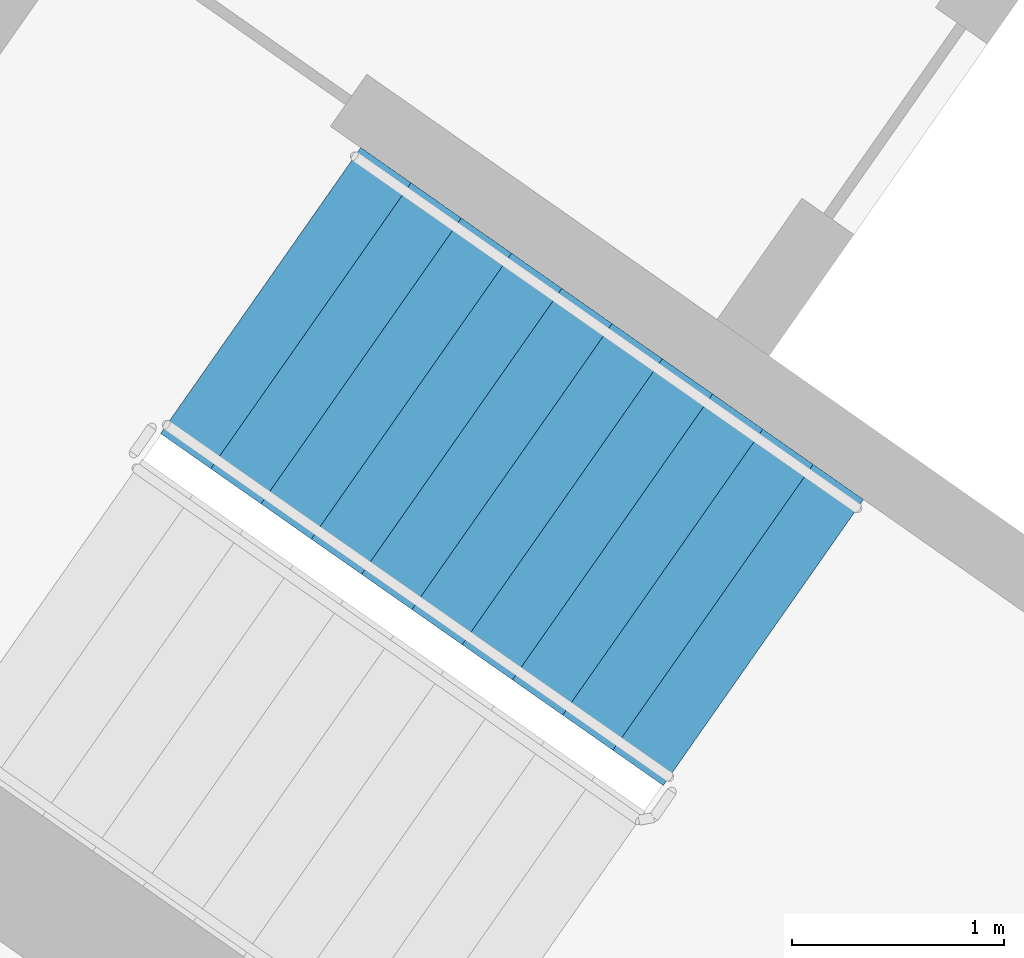
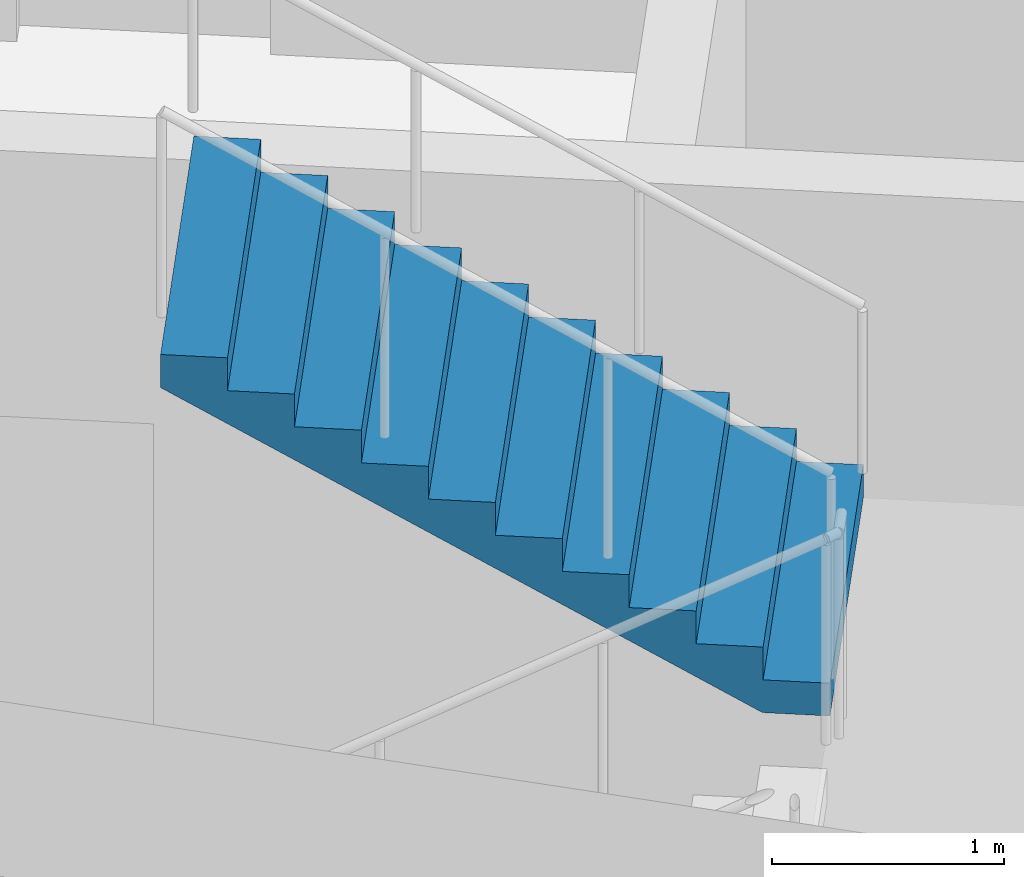
# One storey, part 9 of 27: 1 stair flight, 1 element without a shape of its own.
"""IFC4 building model written with IfcOpenShell, lengths in metres."""

from ifc_helpers import new_model, si_unit, direction, frame, origin, place, context, subcontext, project, spatial, faceted_brep, material, type_object, element, aggregate, save


model = new_model("IFC4")

# Units and contexts
model_context = context("Model", 3, precision=1e-05, world=origin(), true_north=direction((0.0, 1.0)))
body_context = subcontext(model_context, "Body", "Model", "MODEL_VIEW")
ifc_project = project(units=[si_unit("LENGTHUNIT", "METRE"), si_unit("AREAUNIT", "SQUARE_METRE"), si_unit("VOLUMEUNIT", "CUBIC_METRE"), si_unit("PLANEANGLEUNIT", "RADIAN"), si_unit("MASSUNIT", "GRAM", prefix="KILO")], contexts=[model_context])

# Site, building, storey
site_placement = place(None, origin())
site = spatial("IfcSite", under=ifc_project, at=site_placement, CompositionType="ELEMENT")
building_placement = place(site_placement, origin())
building = spatial("IfcBuilding", under=site, at=building_placement, Name="Qamariyya Broadcast Tower", CompositionType="ELEMENT")
storey_placement = place(building_placement, frame((0.0, 0.0, 153.10009765625)))
storey = spatial("IfcBuildingStorey", under=building, at=storey_placement, Name="L35", CompositionType="ELEMENT", Elevation=153.10009765625)

# Stair, stair flight
ifc_material = material(Name="Concrete C50/60", Category="concrete")
stair_type = type_object("IfcStairType", Name="Exit stair 22 risers of 173 mm", PredefinedType="HALF_TURN_STAIR", material=ifc_material)
stair_placement = place(storey_placement, origin())
stair = element("IfcStair", 1, at=stair_placement, inside=storey, type_object=stair_type, Name="L35 Stair W1", PredefinedType="HALF_TURN_STAIR")
stair_flight_type = type_object("IfcStairFlightType", Name="Exit stair flight 11 risers of 173 mm", PredefinedType="STRAIGHT", material=ifc_material)
stair_flight_placement = place(storey_placement, frame((-43.660888671875, -57.17138671875, 1.89990234375), z_axis=(0.0, 0.0, 1.0), x_axis=(-0.819152044289, 0.573576436351, 0.0)))
stair_flight = element("IfcStairFlight", 2, at=stair_flight_placement, type_object=stair_flight_type, Name="ST-W1 flight 2", NumberOfRisers=11, NumberOfTreads=10, PredefinedType="STRAIGHT", RiserHeight=0.172727273, TreadLength=0.29, context=body_context, shape_type="Brep", body=[
    faceted_brep([(0.0, 0.824951171875, 0.0), (0.0, 0.824951171875, 0.172607421875), (0.2900390625, 0.824951171875, 0.172607421875), (0.2900390625, 0.824951171875, 0.345458984375), (0.580078125, 0.824951171875, 0.345458984375), (0.580078125, 0.824951171875, 0.51806640625), (0.8701171875, 0.824951171875, 0.51806640625), (0.8701171875, 0.824951171875, 0.69091796875), (1.159912109375, 0.824951171875, 0.69091796875), (1.159912109375, 0.824951171875, 0.863525390625), (1.449951171875, 0.824951171875, 0.863525390625), (1.449951171875, 0.824951171875, 1.036376953125), (1.739990234375, 0.824951171875, 1.036376953125), (1.739990234375, 0.824951171875, 1.208984375), (2.030029296875, 0.824951171875, 1.208984375), (2.030029296875, 0.824951171875, 1.3818359375), (2.320068359375, 0.824951171875, 1.3818359375), (2.320068359375, 0.824951171875, 1.554443359375), (2.610107421875, 0.824951171875, 1.554443359375), (2.610107421875, 0.824951171875, 1.727294921875), (2.89990234375, 0.824951171875, 1.727294921875), (2.89990234375, 0.824951171875, 1.552734375), (0.29296875, 0.824951171875, 0.0), (0.29296875, -0.824951171875, 0.0), (2.89990234375, -0.824951171875, 1.552734375), (2.89990234375, -0.824951171875, 1.727294921875), (2.610107421875, -0.824951171875, 1.727294921875), (2.610107421875, -0.824951171875, 1.554443359375), (2.320068359375, -0.824951171875, 1.554443359375), (2.320068359375, -0.824951171875, 1.3818359375), (2.030029296875, -0.824951171875, 1.3818359375), (2.030029296875, -0.824951171875, 1.208984375), (1.739990234375, -0.824951171875, 1.208984375), (1.739990234375, -0.824951171875, 1.036376953125), (1.449951171875, -0.824951171875, 1.036376953125), (1.449951171875, -0.824951171875, 0.863525390625), (1.159912109375, -0.824951171875, 0.863525390625), (1.159912109375, -0.824951171875, 0.69091796875), (0.8701171875, -0.824951171875, 0.69091796875), (0.8701171875, -0.824951171875, 0.51806640625), (0.580078125, -0.824951171875, 0.51806640625), (0.580078125, -0.824951171875, 0.345458984375), (0.2900390625, -0.824951171875, 0.345458984375), (0.2900390625, -0.824951171875, 0.172607421875), (0.0, -0.824951171875, 0.172607421875), (0.0, -0.824951171875, 0.0), (0.0, 0.10009765625, 0.0), (0.0, 0.086669921875, 0.0), (0.0, 0.0732421875, 0.0), (0.0, 0.06005859375, 0.0), (0.0, 0.046630859375, 0.0), (0.0, 0.033447265625, 0.0), (0.0, 0.02001953125, 0.0), (0.0, 0.006591796875, 0.0), (0.0, -0.006591796875, 0.0), (0.0, -0.02001953125, 0.0), (0.0, -0.033447265625, 0.0), (0.0, -0.046630859375, 0.0), (0.0, -0.06005859375, 0.0), (0.0, -0.0732421875, 0.0), (0.0, -0.086669921875, 0.0), (0.0, -0.10009765625, 0.0), (0.0, -0.10009765625, 0.172607421875), (0.0, -0.086669921875, 0.172607421875), (0.0, -0.0732421875, 0.172607421875), (0.0, -0.06005859375, 0.172607421875), (0.0, -0.046630859375, 0.172607421875), (0.0, -0.033447265625, 0.172607421875), (0.0, -0.02001953125, 0.172607421875), (0.0, -0.006591796875, 0.172607421875), (0.0, 0.006591796875, 0.172607421875), (0.0, 0.02001953125, 0.172607421875), (0.0, 0.033447265625, 0.172607421875), (0.0, 0.046630859375, 0.172607421875), (0.0, 0.06005859375, 0.172607421875), (0.0, 0.0732421875, 0.172607421875), (0.0, 0.086669921875, 0.172607421875), (0.0, 0.10009765625, 0.172607421875), (0.2900390625, -0.10009765625, 0.172607421875), (0.2900390625, -0.086669921875, 0.172607421875), (0.2900390625, -0.0732421875, 0.172607421875), (0.2900390625, -0.06005859375, 0.172607421875), (0.2900390625, -0.046630859375, 0.172607421875), (0.2900390625, -0.033447265625, 0.172607421875), (0.2900390625, -0.02001953125, 0.172607421875), (0.2900390625, -0.006591796875, 0.172607421875), (0.2900390625, 0.006591796875, 0.172607421875), (0.2900390625, 0.02001953125, 0.172607421875), (0.2900390625, 0.033447265625, 0.172607421875), (0.2900390625, 0.046630859375, 0.172607421875), (0.2900390625, 0.06005859375, 0.172607421875), (0.2900390625, 0.0732421875, 0.172607421875), (0.2900390625, 0.086669921875, 0.172607421875), (0.2900390625, 0.10009765625, 0.172607421875), (0.2900390625, -0.10009765625, 0.345458984375), (0.2900390625, -0.086669921875, 0.345458984375), (0.2900390625, -0.0732421875, 0.345458984375), (0.2900390625, -0.06005859375, 0.345458984375), (0.2900390625, -0.046630859375, 0.345458984375), (0.2900390625, -0.033447265625, 0.345458984375), (0.2900390625, -0.02001953125, 0.345458984375), (0.2900390625, -0.006591796875, 0.345458984375), (0.2900390625, 0.006591796875, 0.345458984375), (0.2900390625, 0.02001953125, 0.345458984375), (0.2900390625, 0.033447265625, 0.345458984375), (0.2900390625, 0.046630859375, 0.345458984375), (0.2900390625, 0.06005859375, 0.345458984375), (0.2900390625, 0.0732421875, 0.345458984375), (0.2900390625, 0.086669921875, 0.345458984375), (0.2900390625, 0.10009765625, 0.345458984375), (0.580078125, -0.10009765625, 0.345458984375), (0.580078125, -0.086669921875, 0.345458984375), (0.580078125, -0.0732421875, 0.345458984375), (0.580078125, -0.06005859375, 0.345458984375), (0.580078125, -0.046630859375, 0.345458984375), (0.580078125, -0.033447265625, 0.345458984375), (0.580078125, -0.02001953125, 0.345458984375), (0.580078125, -0.006591796875, 0.345458984375), (0.580078125, 0.006591796875, 0.345458984375), (0.580078125, 0.02001953125, 0.345458984375), (0.580078125, 0.033447265625, 0.345458984375), (0.580078125, 0.046630859375, 0.345458984375), (0.580078125, 0.06005859375, 0.345458984375), (0.580078125, 0.0732421875, 0.345458984375), (0.580078125, 0.086669921875, 0.345458984375), (0.580078125, 0.10009765625, 0.345458984375), (0.580078125, -0.10009765625, 0.51806640625), (0.580078125, -0.086669921875, 0.51806640625), (0.580078125, -0.0732421875, 0.51806640625), (0.580078125, -0.06005859375, 0.51806640625), (0.580078125, -0.046630859375, 0.51806640625), (0.580078125, -0.033447265625, 0.51806640625), (0.580078125, -0.02001953125, 0.51806640625), (0.580078125, -0.006591796875, 0.51806640625), (0.580078125, 0.006591796875, 0.51806640625), (0.580078125, 0.02001953125, 0.51806640625), (0.580078125, 0.033447265625, 0.51806640625), (0.580078125, 0.046630859375, 0.51806640625), (0.580078125, 0.06005859375, 0.51806640625), (0.580078125, 0.0732421875, 0.51806640625), (0.580078125, 0.086669921875, 0.51806640625), (0.580078125, 0.10009765625, 0.51806640625), (0.8701171875, -0.10009765625, 0.51806640625), (0.8701171875, -0.086669921875, 0.51806640625), (0.8701171875, -0.0732421875, 0.51806640625), (0.8701171875, -0.06005859375, 0.51806640625), (0.8701171875, -0.046630859375, 0.51806640625), (0.8701171875, -0.033447265625, 0.51806640625), (0.8701171875, -0.02001953125, 0.51806640625), (0.8701171875, -0.006591796875, 0.51806640625), (0.8701171875, 0.006591796875, 0.51806640625), (0.8701171875, 0.02001953125, 0.51806640625), (0.8701171875, 0.033447265625, 0.51806640625), (0.8701171875, 0.046630859375, 0.51806640625), (0.8701171875, 0.06005859375, 0.51806640625), (0.8701171875, 0.0732421875, 0.51806640625), (0.8701171875, 0.086669921875, 0.51806640625), (0.8701171875, 0.10009765625, 0.51806640625), (0.8701171875, -0.10009765625, 0.69091796875), (0.8701171875, -0.086669921875, 0.69091796875), (0.8701171875, -0.0732421875, 0.69091796875), (0.8701171875, -0.06005859375, 0.69091796875), (0.8701171875, -0.046630859375, 0.69091796875), (0.8701171875, -0.033447265625, 0.69091796875), (0.8701171875, -0.02001953125, 0.69091796875), (0.8701171875, -0.006591796875, 0.69091796875), (0.8701171875, 0.006591796875, 0.69091796875), (0.8701171875, 0.02001953125, 0.69091796875), (0.8701171875, 0.033447265625, 0.69091796875), (0.8701171875, 0.046630859375, 0.69091796875), (0.8701171875, 0.06005859375, 0.69091796875), (0.8701171875, 0.0732421875, 0.69091796875), (0.8701171875, 0.086669921875, 0.69091796875), (0.8701171875, 0.10009765625, 0.69091796875), (1.159912109375, -0.10009765625, 0.69091796875), (1.159912109375, -0.086669921875, 0.69091796875), (1.159912109375, -0.0732421875, 0.69091796875), (1.159912109375, -0.06005859375, 0.69091796875), (1.159912109375, -0.046630859375, 0.69091796875), (1.159912109375, -0.033447265625, 0.69091796875), (1.159912109375, -0.02001953125, 0.69091796875), (1.159912109375, -0.006591796875, 0.69091796875), (1.159912109375, 0.006591796875, 0.69091796875), (1.159912109375, 0.02001953125, 0.69091796875), (1.159912109375, 0.033447265625, 0.69091796875), (1.159912109375, 0.046630859375, 0.69091796875), (1.159912109375, 0.06005859375, 0.69091796875), (1.159912109375, 0.0732421875, 0.69091796875), (1.159912109375, 0.086669921875, 0.69091796875), (1.159912109375, 0.10009765625, 0.69091796875), (1.159912109375, -0.10009765625, 0.863525390625), (1.159912109375, -0.086669921875, 0.863525390625), (1.159912109375, -0.0732421875, 0.863525390625), (1.159912109375, -0.06005859375, 0.863525390625), (1.159912109375, -0.046630859375, 0.863525390625), (1.159912109375, -0.033447265625, 0.863525390625), (1.159912109375, -0.02001953125, 0.863525390625), (1.159912109375, -0.006591796875, 0.863525390625), (1.159912109375, 0.006591796875, 0.863525390625), (1.159912109375, 0.02001953125, 0.863525390625), (1.159912109375, 0.033447265625, 0.863525390625), (1.159912109375, 0.046630859375, 0.863525390625), (1.159912109375, 0.06005859375, 0.863525390625), (1.159912109375, 0.0732421875, 0.863525390625), (1.159912109375, 0.086669921875, 0.863525390625), (1.159912109375, 0.10009765625, 0.863525390625), (1.449951171875, -0.10009765625, 0.863525390625), (1.449951171875, -0.086669921875, 0.863525390625), (1.449951171875, -0.0732421875, 0.863525390625), (1.449951171875, -0.06005859375, 0.863525390625), (1.449951171875, -0.046630859375, 0.863525390625), (1.449951171875, -0.033447265625, 0.863525390625), (1.449951171875, -0.02001953125, 0.863525390625), (1.449951171875, -0.006591796875, 0.863525390625), (1.449951171875, 0.006591796875, 0.863525390625), (1.449951171875, 0.02001953125, 0.863525390625), (1.449951171875, 0.033447265625, 0.863525390625), (1.449951171875, 0.046630859375, 0.863525390625), (1.449951171875, 0.06005859375, 0.863525390625), (1.449951171875, 0.0732421875, 0.863525390625), (1.449951171875, 0.086669921875, 0.863525390625), (1.449951171875, 0.10009765625, 0.863525390625), (1.449951171875, -0.10009765625, 1.036376953125), (1.449951171875, -0.086669921875, 1.036376953125), (1.449951171875, -0.0732421875, 1.036376953125), (1.449951171875, -0.06005859375, 1.036376953125), (1.449951171875, -0.046630859375, 1.036376953125), (1.449951171875, -0.033447265625, 1.036376953125), (1.449951171875, -0.02001953125, 1.036376953125), (1.449951171875, -0.006591796875, 1.036376953125), (1.449951171875, 0.006591796875, 1.036376953125), (1.449951171875, 0.02001953125, 1.036376953125), (1.449951171875, 0.033447265625, 1.036376953125), (1.449951171875, 0.046630859375, 1.036376953125), (1.449951171875, 0.06005859375, 1.036376953125), (1.449951171875, 0.0732421875, 1.036376953125), (1.449951171875, 0.086669921875, 1.036376953125), (1.449951171875, 0.10009765625, 1.036376953125), (1.739990234375, -0.10009765625, 1.036376953125), (1.739990234375, -0.086669921875, 1.036376953125), (1.739990234375, -0.0732421875, 1.036376953125), (1.739990234375, -0.06005859375, 1.036376953125), (1.739990234375, -0.046630859375, 1.036376953125), (1.739990234375, -0.033447265625, 1.036376953125), (1.739990234375, -0.02001953125, 1.036376953125), (1.739990234375, -0.006591796875, 1.036376953125), (1.739990234375, 0.006591796875, 1.036376953125), (1.739990234375, 0.02001953125, 1.036376953125), (1.739990234375, 0.033447265625, 1.036376953125), (1.739990234375, 0.046630859375, 1.036376953125), (1.739990234375, 0.06005859375, 1.036376953125), (1.739990234375, 0.0732421875, 1.036376953125), (1.739990234375, 0.086669921875, 1.036376953125), (1.739990234375, 0.10009765625, 1.036376953125), (1.739990234375, -0.10009765625, 1.208984375), (1.739990234375, -0.086669921875, 1.208984375), (1.739990234375, -0.0732421875, 1.208984375), (1.739990234375, -0.06005859375, 1.208984375), (1.739990234375, -0.046630859375, 1.208984375), (1.739990234375, -0.033447265625, 1.208984375), (1.739990234375, -0.02001953125, 1.208984375), (1.739990234375, -0.006591796875, 1.208984375), (1.739990234375, 0.006591796875, 1.208984375), (1.739990234375, 0.02001953125, 1.208984375), (1.739990234375, 0.033447265625, 1.208984375), (1.739990234375, 0.046630859375, 1.208984375), (1.739990234375, 0.06005859375, 1.208984375), (1.739990234375, 0.0732421875, 1.208984375), (1.739990234375, 0.086669921875, 1.208984375), (1.739990234375, 0.10009765625, 1.208984375), (2.030029296875, -0.10009765625, 1.208984375), (2.030029296875, -0.086669921875, 1.208984375), (2.030029296875, -0.0732421875, 1.208984375), (2.030029296875, -0.06005859375, 1.208984375), (2.030029296875, -0.046630859375, 1.208984375), (2.030029296875, -0.033447265625, 1.208984375), (2.030029296875, -0.02001953125, 1.208984375), (2.030029296875, -0.006591796875, 1.208984375), (2.030029296875, 0.006591796875, 1.208984375), (2.030029296875, 0.02001953125, 1.208984375), (2.030029296875, 0.033447265625, 1.208984375), (2.030029296875, 0.046630859375, 1.208984375), (2.030029296875, 0.06005859375, 1.208984375), (2.030029296875, 0.0732421875, 1.208984375), (2.030029296875, 0.086669921875, 1.208984375), (2.030029296875, 0.10009765625, 1.208984375), (2.030029296875, -0.10009765625, 1.3818359375), (2.030029296875, -0.086669921875, 1.3818359375), (2.030029296875, -0.0732421875, 1.3818359375), (2.030029296875, -0.06005859375, 1.3818359375), (2.030029296875, -0.046630859375, 1.3818359375), (2.030029296875, -0.033447265625, 1.3818359375), (2.030029296875, -0.02001953125, 1.3818359375), (2.030029296875, -0.006591796875, 1.3818359375), (2.030029296875, 0.006591796875, 1.3818359375), (2.030029296875, 0.02001953125, 1.3818359375), (2.030029296875, 0.033447265625, 1.3818359375), (2.030029296875, 0.046630859375, 1.3818359375), (2.030029296875, 0.06005859375, 1.3818359375), (2.030029296875, 0.0732421875, 1.3818359375), (2.030029296875, 0.086669921875, 1.3818359375), (2.030029296875, 0.10009765625, 1.3818359375), (2.320068359375, -0.10009765625, 1.3818359375), (2.320068359375, -0.086669921875, 1.3818359375), (2.320068359375, -0.0732421875, 1.3818359375), (2.320068359375, -0.06005859375, 1.3818359375), (2.320068359375, -0.046630859375, 1.3818359375), (2.320068359375, -0.033447265625, 1.3818359375), (2.320068359375, -0.02001953125, 1.3818359375), (2.320068359375, -0.006591796875, 1.3818359375), (2.320068359375, 0.006591796875, 1.3818359375), (2.320068359375, 0.02001953125, 1.3818359375), (2.320068359375, 0.033447265625, 1.3818359375), (2.320068359375, 0.046630859375, 1.3818359375), (2.320068359375, 0.06005859375, 1.3818359375), (2.320068359375, 0.0732421875, 1.3818359375), (2.320068359375, 0.086669921875, 1.3818359375), (2.320068359375, 0.10009765625, 1.3818359375), (2.320068359375, -0.10009765625, 1.554443359375), (2.320068359375, -0.086669921875, 1.554443359375), (2.320068359375, -0.0732421875, 1.554443359375), (2.320068359375, -0.06005859375, 1.554443359375), (2.320068359375, -0.046630859375, 1.554443359375), (2.320068359375, -0.033447265625, 1.554443359375), (2.320068359375, -0.02001953125, 1.554443359375), (2.320068359375, -0.006591796875, 1.554443359375), (2.320068359375, 0.006591796875, 1.554443359375), (2.320068359375, 0.02001953125, 1.554443359375), (2.320068359375, 0.033447265625, 1.554443359375), (2.320068359375, 0.046630859375, 1.554443359375), (2.320068359375, 0.06005859375, 1.554443359375), (2.320068359375, 0.0732421875, 1.554443359375), (2.320068359375, 0.086669921875, 1.554443359375), (2.320068359375, 0.10009765625, 1.554443359375), (2.610107421875, -0.10009765625, 1.554443359375), (2.610107421875, -0.086669921875, 1.554443359375), (2.610107421875, -0.0732421875, 1.554443359375), (2.610107421875, -0.06005859375, 1.554443359375), (2.610107421875, -0.046630859375, 1.554443359375), (2.610107421875, -0.033447265625, 1.554443359375), (2.610107421875, -0.02001953125, 1.554443359375), (2.610107421875, -0.006591796875, 1.554443359375), (2.610107421875, 0.006591796875, 1.554443359375), (2.610107421875, 0.02001953125, 1.554443359375), (2.610107421875, 0.033447265625, 1.554443359375), (2.610107421875, 0.046630859375, 1.554443359375), (2.610107421875, 0.06005859375, 1.554443359375), (2.610107421875, 0.0732421875, 1.554443359375), (2.610107421875, 0.086669921875, 1.554443359375), (2.610107421875, 0.10009765625, 1.554443359375), (2.610107421875, -0.10009765625, 1.727294921875), (2.610107421875, -0.086669921875, 1.727294921875), (2.610107421875, -0.0732421875, 1.727294921875), (2.610107421875, -0.06005859375, 1.727294921875), (2.610107421875, -0.046630859375, 1.727294921875), (2.610107421875, -0.033447265625, 1.727294921875), (2.610107421875, -0.02001953125, 1.727294921875), (2.610107421875, -0.006591796875, 1.727294921875), (2.610107421875, 0.006591796875, 1.727294921875), (2.610107421875, 0.02001953125, 1.727294921875), (2.610107421875, 0.033447265625, 1.727294921875), (2.610107421875, 0.046630859375, 1.727294921875), (2.610107421875, 0.06005859375, 1.727294921875), (2.610107421875, 0.0732421875, 1.727294921875), (2.610107421875, 0.086669921875, 1.727294921875), (2.610107421875, 0.10009765625, 1.727294921875), (2.89990234375, -0.10009765625, 1.727294921875), (2.89990234375, -0.086669921875, 1.727294921875), (2.89990234375, -0.0732421875, 1.727294921875), (2.89990234375, -0.06005859375, 1.727294921875), (2.89990234375, -0.046630859375, 1.727294921875), (2.89990234375, -0.033447265625, 1.727294921875), (2.89990234375, -0.02001953125, 1.727294921875), (2.89990234375, -0.006591796875, 1.727294921875), (2.89990234375, 0.006591796875, 1.727294921875), (2.89990234375, 0.02001953125, 1.727294921875), (2.89990234375, 0.033447265625, 1.727294921875), (2.89990234375, 0.046630859375, 1.727294921875), (2.89990234375, 0.06005859375, 1.727294921875), (2.89990234375, 0.0732421875, 1.727294921875), (2.89990234375, 0.086669921875, 1.727294921875), (2.89990234375, 0.10009765625, 1.727294921875), (2.89990234375, -0.10009765625, 1.552734375), (2.89990234375, -0.086669921875, 1.552734375), (2.89990234375, -0.0732421875, 1.552734375), (2.89990234375, -0.06005859375, 1.552734375), (2.89990234375, -0.046630859375, 1.552734375), (2.89990234375, -0.033447265625, 1.552734375), (2.89990234375, -0.02001953125, 1.552734375), (2.89990234375, -0.006591796875, 1.552734375), (2.89990234375, 0.006591796875, 1.552734375), (2.89990234375, 0.02001953125, 1.552734375), (2.89990234375, 0.033447265625, 1.552734375), (2.89990234375, 0.046630859375, 1.552734375), (2.89990234375, 0.06005859375, 1.552734375), (2.89990234375, 0.0732421875, 1.552734375), (2.89990234375, 0.086669921875, 1.552734375), (2.89990234375, 0.10009765625, 1.552734375), (0.29296875, -0.10009765625, 0.0), (0.29296875, -0.086669921875, 0.0), (0.29296875, -0.0732421875, 0.0), (0.29296875, -0.06005859375, 0.0), (0.29296875, -0.046630859375, 0.0), (0.29296875, -0.033447265625, 0.0), (0.29296875, -0.02001953125, 0.0), (0.29296875, -0.006591796875, 0.0), (0.29296875, 0.006591796875, 0.0), (0.29296875, 0.02001953125, 0.0), (0.29296875, 0.033447265625, 0.0), (0.29296875, 0.046630859375, 0.0), (0.29296875, 0.06005859375, 0.0), (0.29296875, 0.0732421875, 0.0), (0.29296875, 0.086669921875, 0.0), (0.29296875, 0.10009765625, 0.0)], [[[0, 1, 2, 3, 4, 5, 6, 7, 8, 9, 10, 11, 12, 13, 14, 15, 16, 17, 18, 19, 20, 21, 22]], [[23, 24, 25, 26, 27, 28, 29, 30, 31, 32, 33, 34, 35, 36, 37, 38, 39, 40, 41, 42, 43, 44, 45]], [[0, 46, 47, 48, 49, 50, 51, 52, 53, 54, 55, 56, 57, 58, 59, 60, 61, 45, 44, 62, 63, 64, 65, 66, 67, 68, 69, 70, 71, 72, 73, 74, 75, 76, 77, 1]], [[1, 77, 76, 75, 74, 73, 72, 71, 70, 69, 68, 67, 66, 65, 64, 63, 62, 44, 43, 78, 79, 80, 81, 82, 83, 84, 85, 86, 87, 88, 89, 90, 91, 92, 93, 2]], [[2, 93, 92, 91, 90, 89, 88, 87, 86, 85, 84, 83, 82, 81, 80, 79, 78, 43, 42, 94, 95, 96, 97, 98, 99, 100, 101, 102, 103, 104, 105, 106, 107, 108, 109, 3]], [[3, 109, 108, 107, 106, 105, 104, 103, 102, 101, 100, 99, 98, 97, 96, 95, 94, 42, 41, 110, 111, 112, 113, 114, 115, 116, 117, 118, 119, 120, 121, 122, 123, 124, 125, 4]], [[4, 125, 124, 123, 122, 121, 120, 119, 118, 117, 116, 115, 114, 113, 112, 111, 110, 41, 40, 126, 127, 128, 129, 130, 131, 132, 133, 134, 135, 136, 137, 138, 139, 140, 141, 5]], [[5, 141, 140, 139, 138, 137, 136, 135, 134, 133, 132, 131, 130, 129, 128, 127, 126, 40, 39, 142, 143, 144, 145, 146, 147, 148, 149, 150, 151, 152, 153, 154, 155, 156, 157, 6]], [[6, 157, 156, 155, 154, 153, 152, 151, 150, 149, 148, 147, 146, 145, 144, 143, 142, 39, 38, 158, 159, 160, 161, 162, 163, 164, 165, 166, 167, 168, 169, 170, 171, 172, 173, 7]], [[7, 173, 172, 171, 170, 169, 168, 167, 166, 165, 164, 163, 162, 161, 160, 159, 158, 38, 37, 174, 175, 176, 177, 178, 179, 180, 181, 182, 183, 184, 185, 186, 187, 188, 189, 8]], [[8, 189, 188, 187, 186, 185, 184, 183, 182, 181, 180, 179, 178, 177, 176, 175, 174, 37, 36, 190, 191, 192, 193, 194, 195, 196, 197, 198, 199, 200, 201, 202, 203, 204, 205, 9]], [[9, 205, 204, 203, 202, 201, 200, 199, 198, 197, 196, 195, 194, 193, 192, 191, 190, 36, 35, 206, 207, 208, 209, 210, 211, 212, 213, 214, 215, 216, 217, 218, 219, 220, 221, 10]], [[10, 221, 220, 219, 218, 217, 216, 215, 214, 213, 212, 211, 210, 209, 208, 207, 206, 35, 34, 222, 223, 224, 225, 226, 227, 228, 229, 230, 231, 232, 233, 234, 235, 236, 237, 11]], [[11, 237, 236, 235, 234, 233, 232, 231, 230, 229, 228, 227, 226, 225, 224, 223, 222, 34, 33, 238, 239, 240, 241, 242, 243, 244, 245, 246, 247, 248, 249, 250, 251, 252, 253, 12]], [[12, 253, 252, 251, 250, 249, 248, 247, 246, 245, 244, 243, 242, 241, 240, 239, 238, 33, 32, 254, 255, 256, 257, 258, 259, 260, 261, 262, 263, 264, 265, 266, 267, 268, 269, 13]], [[13, 269, 268, 267, 266, 265, 264, 263, 262, 261, 260, 259, 258, 257, 256, 255, 254, 32, 31, 270, 271, 272, 273, 274, 275, 276, 277, 278, 279, 280, 281, 282, 283, 284, 285, 14]], [[14, 285, 284, 283, 282, 281, 280, 279, 278, 277, 276, 275, 274, 273, 272, 271, 270, 31, 30, 286, 287, 288, 289, 290, 291, 292, 293, 294, 295, 296, 297, 298, 299, 300, 301, 15]], [[15, 301, 300, 299, 298, 297, 296, 295, 294, 293, 292, 291, 290, 289, 288, 287, 286, 30, 29, 302, 303, 304, 305, 306, 307, 308, 309, 310, 311, 312, 313, 314, 315, 316, 317, 16]], [[16, 317, 316, 315, 314, 313, 312, 311, 310, 309, 308, 307, 306, 305, 304, 303, 302, 29, 28, 318, 319, 320, 321, 322, 323, 324, 325, 326, 327, 328, 329, 330, 331, 332, 333, 17]], [[17, 333, 332, 331, 330, 329, 328, 327, 326, 325, 324, 323, 322, 321, 320, 319, 318, 28, 27, 334, 335, 336, 337, 338, 339, 340, 341, 342, 343, 344, 345, 346, 347, 348, 349, 18]], [[18, 349, 348, 347, 346, 345, 344, 343, 342, 341, 340, 339, 338, 337, 336, 335, 334, 27, 26, 350, 351, 352, 353, 354, 355, 356, 357, 358, 359, 360, 361, 362, 363, 364, 365, 19]], [[19, 365, 364, 363, 362, 361, 360, 359, 358, 357, 356, 355, 354, 353, 352, 351, 350, 26, 25, 366, 367, 368, 369, 370, 371, 372, 373, 374, 375, 376, 377, 378, 379, 380, 381, 20]], [[20, 381, 380, 379, 378, 377, 376, 375, 374, 373, 372, 371, 370, 369, 368, 367, 366, 25, 24, 382, 383, 384, 385, 386, 387, 388, 389, 390, 391, 392, 393, 394, 395, 396, 397, 21]], [[21, 397, 396, 395, 394, 393, 392, 391, 390, 389, 388, 387, 386, 385, 384, 383, 382, 24, 23, 398, 399, 400, 401, 402, 403, 404, 405, 406, 407, 408, 409, 410, 411, 412, 413, 22]], [[22, 413, 412, 411, 410, 409, 408, 407, 406, 405, 404, 403, 402, 401, 400, 399, 398, 23, 45, 61, 60, 59, 58, 57, 56, 55, 54, 53, 52, 51, 50, 49, 48, 47, 46, 0]]]),
])
aggregate(stair, [stair_flight])

save(model, "model.ifc")
